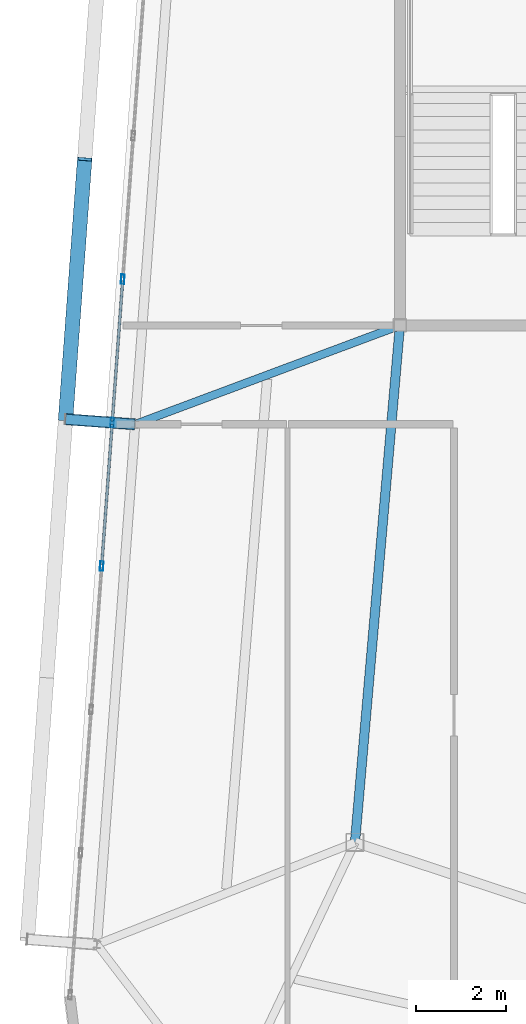
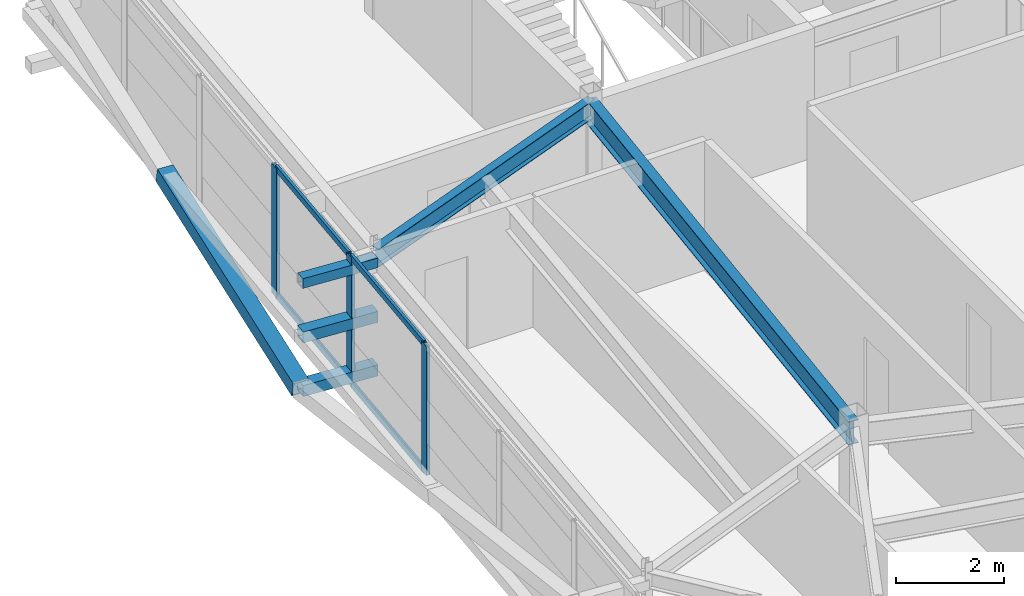
# One storey, part 15 of 42: 11 members, 2 beams, 1 element without a shape of its own.
"""IFC4 building model written with IfcOpenShell, lengths in metres."""

from ifc_helpers import new_model, si_unit, direction, frame, origin, origin_2d, place, context, subcontext, project, spatial, hollow_rectangle, i_section, extrude, source, transform, mapped, material, layer, layer_set, material_profile, profile_set, type_object, element, aggregate, save


model = new_model("IFC4")

# Units and contexts
model_context = context("Model", 3, precision=1e-05, world=origin(), true_north=direction((0.0, 1.0)))
body_context = subcontext(model_context, "Body", "Model", "MODEL_VIEW")
ifc_project = project(units=[si_unit("LENGTHUNIT", "METRE"), si_unit("AREAUNIT", "SQUARE_METRE"), si_unit("VOLUMEUNIT", "CUBIC_METRE"), si_unit("PLANEANGLEUNIT", "RADIAN"), si_unit("MASSUNIT", "GRAM", prefix="KILO")], contexts=[model_context])

# Site, building, storey
site_placement = place(None, origin())
site = spatial("IfcSite", under=ifc_project, at=site_placement, CompositionType="ELEMENT")
building_placement = place(site_placement, origin())
building = spatial("IfcBuilding", under=site, at=building_placement, Name="Taldren Reach Tower", CompositionType="ELEMENT")
storey_placement = place(building_placement, frame((0.0, 0.0, 214.550048828125)))
storey = spatial("IfcBuildingStorey", under=building, at=storey_placement, Name="L65", CompositionType="ELEMENT", Elevation=214.550048828125)

# Beams
ifc_material_1 = material(Name="Steel Gr 350 (350PLUS)", Category="steel")
ifc_material_profile_1 = material_profile(ifc_material_1, i_section(OverallWidth=0.208984375, OverallDepth=0.532958984375, WebThickness=0.01025390625, FlangeThickness=0.015625, at=origin_2d()), Name="530UB92.4")
ifc_profile_set_1 = profile_set([ifc_material_profile_1], Name="Steel Gr 350 (350PLUS)")
beam_type_1 = type_object("IfcBeamType", Name="BM-UB530A", PredefinedType="BEAM", material=ifc_profile_set_1)
shared_shape_1 = source(origin(), body_context, "Body", "SweptSolid", [
    extrude(i_section(OverallWidth=0.208984375, OverallDepth=0.532958984375, WebThickness=0.01025390625, FlangeThickness=0.015625, at=origin_2d()), origin(), (0.0, 0.0, 1.0), 11.54345703125),
])
beam_1_placement = place(storey_placement, frame((19.0, 24.0, 2.663330078125), z_axis=(-0.086629616365, -0.996240588196, 0.0), x_axis=(0.996240588196, -0.086629616365, 0.0)))
element("IfcBeam", 1, at=beam_1_placement, inside=storey, type_object=beam_type_1, Name="Core-spine girder L65-SP09", PredefinedType="BEAM", context=body_context, shape_type="MappedRepresentation", body=[
    mapped(shared_shape_1, transform((0.0, 0.0, 0.0), scale=1.0)),
])
ifc_material_profile_2 = material_profile(ifc_material_1, i_section(OverallWidth=0.177978515625, OverallDepth=0.406005859375, WebThickness=0.0078125, FlangeThickness=0.0126953125, at=origin_2d()), Name="410UB59.7")
ifc_profile_set_2 = profile_set([ifc_material_profile_2], Name="Steel Gr 350 (350PLUS)")
beam_type_2 = type_object("IfcBeamType", Name="BM-UB410", PredefinedType="BEAM", material=ifc_profile_set_2)
shared_shape_2 = source(origin(), body_context, "Body", "SweptSolid", [
    extrude(i_section(OverallWidth=0.177978515625, OverallDepth=0.406005859375, WebThickness=0.0078125, FlangeThickness=0.0126953125, at=origin_2d()), origin(), (0.0, 0.0, 1.0), 6.28857421875),
])
beam_2_placement = place(storey_placement, frame((19.0, 24.0, 2.72705078125), z_axis=(-0.936827605945, -0.349791418904, 0.0), x_axis=(0.349791418904, -0.936827605945, 0.0)))
element("IfcBeam", 2, at=beam_2_placement, inside=storey, type_object=beam_type_2, Name="Primary floor girder B5-W2 L65", PredefinedType="BEAM", context=body_context, shape_type="MappedRepresentation", body=[
    mapped(shared_shape_2, transform((0.0, 0.0, 0.0), scale=1.0)),
])

# Members
ifc_material_2 = material(Name="Steel Gr 450 (C450L0)", Category="steel")
ifc_material_profile_3 = material_profile(ifc_material_2, hollow_rectangle(XDim=0.219970703125, YDim=0.219970703125, WallThickness=0.00830078125, at=origin_2d()), Name="220x220x8.2SHS")
ifc_profile_set_3 = profile_set([ifc_material_profile_3], Name="Steel Gr 450 (C450L0)")
member_type_1 = type_object("IfcMemberType", Name="MB-TIE219", PredefinedType="STRUT", material=ifc_profile_set_3)
shared_shape_3 = source(origin(), body_context, "Body", "SweptSolid", [
    extrude(hollow_rectangle(XDim=0.219970703125, YDim=0.219970703125, WallThickness=0.00830078125, at=origin_2d()), origin(), (0.0, 0.0, 1.0), 1.546142578125),
])
member_1_placement = place(storey_placement, frame((13.104736328125, 21.800537109375, 2.64990234375), z_axis=(-0.997312378271, 0.073266773831, 0.0), x_axis=(-0.073266773831, -0.997312378271, 0.0)))
element("IfcMember", 3, at=member_1_placement, inside=storey, type_object=member_type_1, Name="Exoskeleton diaphragm tie strut B5-W2 L65", PredefinedType="STRUT", context=body_context, shape_type="MappedRepresentation", body=[
    mapped(shared_shape_3, transform((0.0, 0.0, 0.0), scale=1.0)),
])
ifc_material_profile_4 = material_profile(ifc_material_2, hollow_rectangle(XDim=0.324951171875, YDim=0.324951171875, WallThickness=0.0126953125, at=origin_2d()), Name="325x325x12.7SHS")
ifc_profile_set_4 = profile_set([ifc_material_profile_4], Name="Steel Gr 450 (C450L0)")
member_type_2 = type_object("IfcMemberType", Name="MB-BR324", PredefinedType="BRACE", material=ifc_profile_set_4)
shared_shape_4 = source(origin(), body_context, "Body", "SweptSolid", [
    extrude(hollow_rectangle(XDim=0.324951171875, YDim=0.324951171875, WallThickness=0.0126953125, at=origin_2d()), origin(), (0.0, 0.0, 1.0), 5.926025390625),
])
member_2_placement = place(storey_placement, frame((11.562744140625, 21.913818359375, 0.219970703125), z_axis=(0.071685935393, 0.976123486939, 0.205046494513), x_axis=(-0.997314185625, 0.073242167855, 0.0)))
element("IfcMember", 4, at=member_2_placement, inside=storey, type_object=member_type_2, Name="Exoskeleton Diagrid Brace B5-W2 L65", PredefinedType="BRACE", context=body_context, shape_type="MappedRepresentation", body=[
    mapped(shared_shape_4, transform((0.0, 0.0, 0.0), scale=1.0)),
])
ifc_material_3 = material(Name="Steel Gr 350 (C350L0)", Category="steel")
ifc_material_profile_5 = material_profile(ifc_material_3, hollow_rectangle(XDim=0.25, YDim=0.25, WallThickness=0.010009765625, at=origin_2d()), Name="250x250x10.0SHS")
ifc_profile_set_5 = profile_set([ifc_material_profile_5], Name="Steel Gr 350 (C350L0)")
member_type_3 = type_object("IfcMemberType", Name="MB-POST250", PredefinedType="POST", material=ifc_profile_set_5)
shared_shape_5 = source(origin(), body_context, "Body", "SweptSolid", [
    extrude(hollow_rectangle(XDim=0.25, YDim=0.25, WallThickness=0.010009765625, at=origin_2d()), origin(), (0.0, 0.0, 1.0), 1.546142578125),
])
for number, where, z_axis, x_axis, name in (
    (5, (13.104736328125, 21.800537109375, 0.219970703125), (-0.997312378271, 0.073266773831, 0.0), (-0.073266773831, -0.997312378271, 0.0), "Exoskeleton base diaphragm tie strut B5-W2 L65"),
    (6, (13.104736328125, 21.800537109375, 1.43505859375), (-0.997312378271, 0.073266773831, 0.0), (-0.073266773831, -0.997312378271, 0.0), "Exoskeleton mid-tier diaphragm tie B5-W2 L65"),
):
    element("IfcMember", number, at=place(storey_placement, frame(where, z_axis=z_axis, x_axis=x_axis)), inside=storey, type_object=member_type_3, Name=name, PredefinedType="POST", context=body_context, shape_type="MappedRepresentation", body=[
        mapped(shared_shape_5, transform((0.0, 0.0, 0.0), scale=1.0)),
    ])

# Curtain wall, members
ifc_material_4 = material(Name="Aluminium and Low-E Glass Unitised System", Category="aluminium")
ifc_layer = layer(ifc_material_4, 0.159912109375)
ifc_layer_set = layer_set([ifc_layer], Name="Aluminium and Low-E Glass Unitised System")
curtain_wall_type = type_object("IfcCurtainWallType", Name="CW-SYS-6", PredefinedType="NOTDEFINED", material=ifc_layer_set)
curtain_wall_placement = place(storey_placement, origin())
curtain_wall = element("IfcCurtainWall", 7, at=curtain_wall_placement, inside=storey, type_object=curtain_wall_type, Name="Unitised curtain wall CW-L65-W", PredefinedType="NOTDEFINED")
ifc_material_5 = material(Name="Anodised Aluminium 6063-T6", Category="aluminium")
ifc_material_profile_6 = material_profile(ifc_material_5, hollow_rectangle(XDim=0.074951171875, YDim=0.2099609375, WallThickness=0.00439453125, at=origin_2d()), Name="ALU-210x75x4.5RHS")
ifc_profile_set_6 = profile_set([ifc_material_profile_6], Name="Anodised Aluminium 6063-T6")
member_type_4 = type_object("IfcMemberType", Name="CW-MUL-200", PredefinedType="MULLION", material=ifc_profile_set_6)
shared_shape_6 = source(origin(), body_context, "Body", "SweptSolid", [
    extrude(hollow_rectangle(XDim=0.074951171875, YDim=0.2099609375, WallThickness=0.00439453125, at=origin_2d()), origin(), (0.0, 0.0, 1.0), 2.929931640625),
])
member_3_placement = place(storey_placement, frame((12.83447265625, 25.029052734375, 0.0), z_axis=(0.0, 0.0, 1.0), x_axis=(0.997314470951, -0.073238282558, 0.0)))
member_3 = element("IfcMember", 8, at=member_3_placement, type_object=member_type_4, Name="CW-6 mullion 4", PredefinedType="MULLION", context=body_context, shape_type="MappedRepresentation", body=[
    mapped(shared_shape_6, transform((0.0, 0.0, 0.0), scale=1.0)),
])
member_4_placement = place(storey_placement, frame((12.60009765625, 21.837646484375, 0.0), z_axis=(0.0, 0.0, 1.0), x_axis=(0.997314470951, -0.073238282558, 0.0)))
member_4 = element("IfcMember", 9, at=member_4_placement, type_object=member_type_4, Name="CW-6 mullion 5", PredefinedType="MULLION", context=body_context, shape_type="MappedRepresentation", body=[
    mapped(shared_shape_6, transform((0.0, 0.0, 0.0), scale=1.0)),
])
member_5_placement = place(storey_placement, frame((12.36572265625, 18.646240234375, 0.0), z_axis=(0.0, 0.0, 1.0), x_axis=(0.997314470951, -0.073238282558, 0.0)))
member_5 = element("IfcMember", 10, at=member_5_placement, type_object=member_type_4, Name="CW-6 mullion 6", PredefinedType="MULLION", context=body_context, shape_type="MappedRepresentation", body=[
    mapped(shared_shape_6, transform((0.0, 0.0, 0.0), scale=1.0)),
])
ifc_material_profile_7 = material_profile(ifc_material_5, hollow_rectangle(XDim=0.06005859375, YDim=0.135009765625, WallThickness=0.00341796875, at=origin_2d()), Name="ALU-135x60x3.5RHS")
ifc_profile_set_7 = profile_set([ifc_material_profile_7], Name="Anodised Aluminium 6063-T6")
member_type_5 = type_object("IfcMemberType", Name="CW-TRN-150", PredefinedType="USERDEFINED", material=ifc_profile_set_7)
shared_shape_7 = source(origin(), body_context, "Body", "SweptSolid", [
    extrude(hollow_rectangle(XDim=0.06005859375, YDim=0.135009765625, WallThickness=0.00341796875, at=origin_2d()), origin(), (0.0, 0.0, 1.0), 3.125),
])
member_6_placement = place(storey_placement, frame((12.831787109375, 24.99169921875, 0.030029296875), z_axis=(-0.073278879567, -0.997311488859, 0.0), x_axis=(0.997311488859, -0.073278879567, 0.0)))
member_6 = element("IfcMember", 11, at=member_6_placement, type_object=member_type_5, Name="CW-6 transom 4.1", ObjectType="TRANSOM", PredefinedType="USERDEFINED", context=body_context, shape_type="MappedRepresentation", body=[
    mapped(shared_shape_7, transform((0.0, 0.0, 0.0), scale=1.0)),
])
member_7_placement = place(storey_placement, frame((12.831787109375, 24.99169921875, 2.89990234375), z_axis=(-0.073278879567, -0.997311488859, 0.0), x_axis=(0.997311488859, -0.073278879567, 0.0)))
member_7 = element("IfcMember", 12, at=member_7_placement, type_object=member_type_5, Name="CW-6 transom 4.2", ObjectType="TRANSOM", PredefinedType="USERDEFINED", context=body_context, shape_type="MappedRepresentation", body=[
    mapped(shared_shape_7, transform((0.0, 0.0, 0.0), scale=1.0)),
])
member_8_placement = place(storey_placement, frame((12.597412109375, 21.80029296875, 0.030029296875), z_axis=(-0.073278879567, -0.997311488859, 0.0), x_axis=(0.997311488859, -0.073278879567, 0.0)))
member_8 = element("IfcMember", 13, at=member_8_placement, type_object=member_type_5, Name="CW-6 transom 5.1", ObjectType="TRANSOM", PredefinedType="USERDEFINED", context=body_context, shape_type="MappedRepresentation", body=[
    mapped(shared_shape_7, transform((0.0, 0.0, 0.0), scale=1.0)),
])
member_9_placement = place(storey_placement, frame((12.597412109375, 21.80029296875, 2.89990234375), z_axis=(-0.073278879567, -0.997311488859, 0.0), x_axis=(0.997311488859, -0.073278879567, 0.0)))
member_9 = element("IfcMember", 14, at=member_9_placement, type_object=member_type_5, Name="CW-6 transom 5.2", ObjectType="TRANSOM", PredefinedType="USERDEFINED", context=body_context, shape_type="MappedRepresentation", body=[
    mapped(shared_shape_7, transform((0.0, 0.0, 0.0), scale=1.0)),
])
aggregate(curtain_wall, [member_3, member_4, member_5, member_6, member_7, member_8, member_9])

save(model, "model.ifc")
